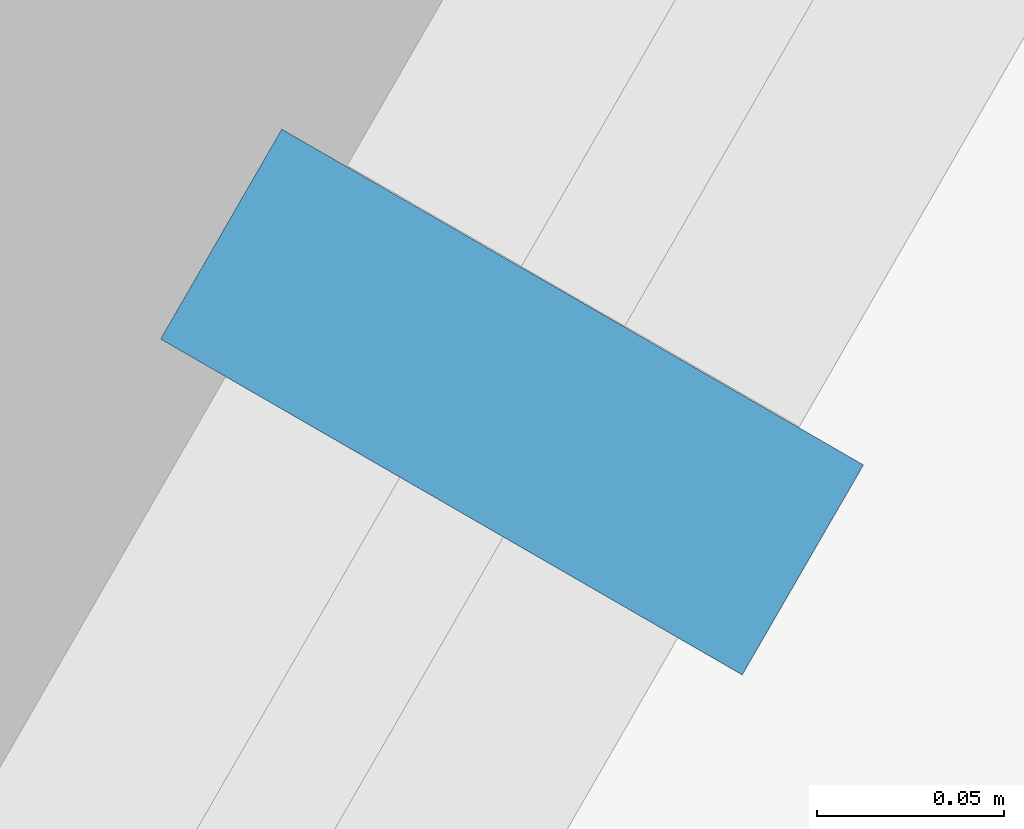
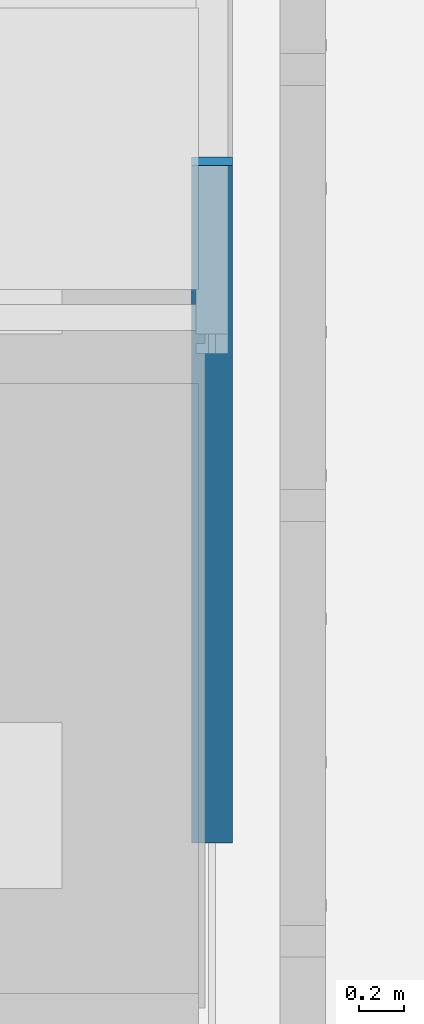
# One storey, part 105 of 238: 1 member, 1 element without a shape of its own.
"""IFC4 building model written with IfcOpenShell, lengths in metres."""

from ifc_helpers import new_model, si_unit, direction, frame, origin, origin_2d, place, context, subcontext, project, spatial, rectangle, extrude, material, material_profile, profile_set, type_object, element, aggregate, save


model = new_model("IFC4")

# Units and contexts
model_context = context("Model", 3, precision=1e-05, world=origin(), true_north=direction((0.0, 1.0)))
body_context = subcontext(model_context, "Body", "Model", "MODEL_VIEW")
ifc_project = project(units=[si_unit("LENGTHUNIT", "METRE"), si_unit("AREAUNIT", "SQUARE_METRE"), si_unit("VOLUMEUNIT", "CUBIC_METRE"), si_unit("PLANEANGLEUNIT", "RADIAN"), si_unit("MASSUNIT", "GRAM", prefix="KILO")], contexts=[model_context])

# Site, building, storey
site_placement = place(None, origin())
site = spatial("IfcSite", under=ifc_project, at=site_placement, CompositionType="ELEMENT")
building_placement = place(site_placement, origin())
building = spatial("IfcBuilding", under=site, at=building_placement, Name="Sandreach Pilgrim Tower", CompositionType="ELEMENT")
storey_placement = place(building_placement, frame((0.0, 0.0, 96.800048828125)))
storey = spatial("IfcBuildingStorey", under=building, at=storey_placement, Name="L23", CompositionType="ELEMENT", Elevation=96.800048828125)

# Curtain wall, member
ifc_material_1 = material(Name="Aluminium framed curtain wall", Category="aluminium")
curtain_wall_type = type_object("IfcCurtainWallType", Name="Hotel tower curtain wall", PredefinedType="NOTDEFINED", material=ifc_material_1)
curtain_wall_placement = place(storey_placement, origin())
curtain_wall = element("IfcCurtainWall", 1, at=curtain_wall_placement, inside=storey, type_object=curtain_wall_type, Name="CW-2 L23 SE", PredefinedType="NOTDEFINED")
ifc_material_2 = material(Name="Aluminium extrusion", Category="aluminium")
ifc_material_profile = material_profile(ifc_material_2, rectangle(XDim=0.06494140625, YDim=0.179931640625, at=origin_2d()), Name="CW-2M 65X180")
ifc_profile_set = profile_set([ifc_material_profile], Name="Aluminium extrusion")
member_type = type_object("IfcMemberType", Name="CW-2 mullion", PredefinedType="MULLION", material=ifc_profile_set)
member_placement = place(storey_placement, frame((22.560302734375, -5.911865234375, 0.0), z_axis=(0.0, 0.0, 1.0), x_axis=(-0.5, -0.866025403784, 0.0)))
member = element("IfcMember", 2, at=member_placement, type_object=member_type, Name="CW-2 mullion 4", PredefinedType="MULLION", context=body_context, shape_type="SweptSolid", body=[
    extrude(rectangle(XDim=0.06494140625, YDim=0.179931640625, at=origin_2d()), origin(), (0.0, 0.0, 1.0), 3.639892578125),
])
aggregate(curtain_wall, [member])

save(model, "model.ifc")
